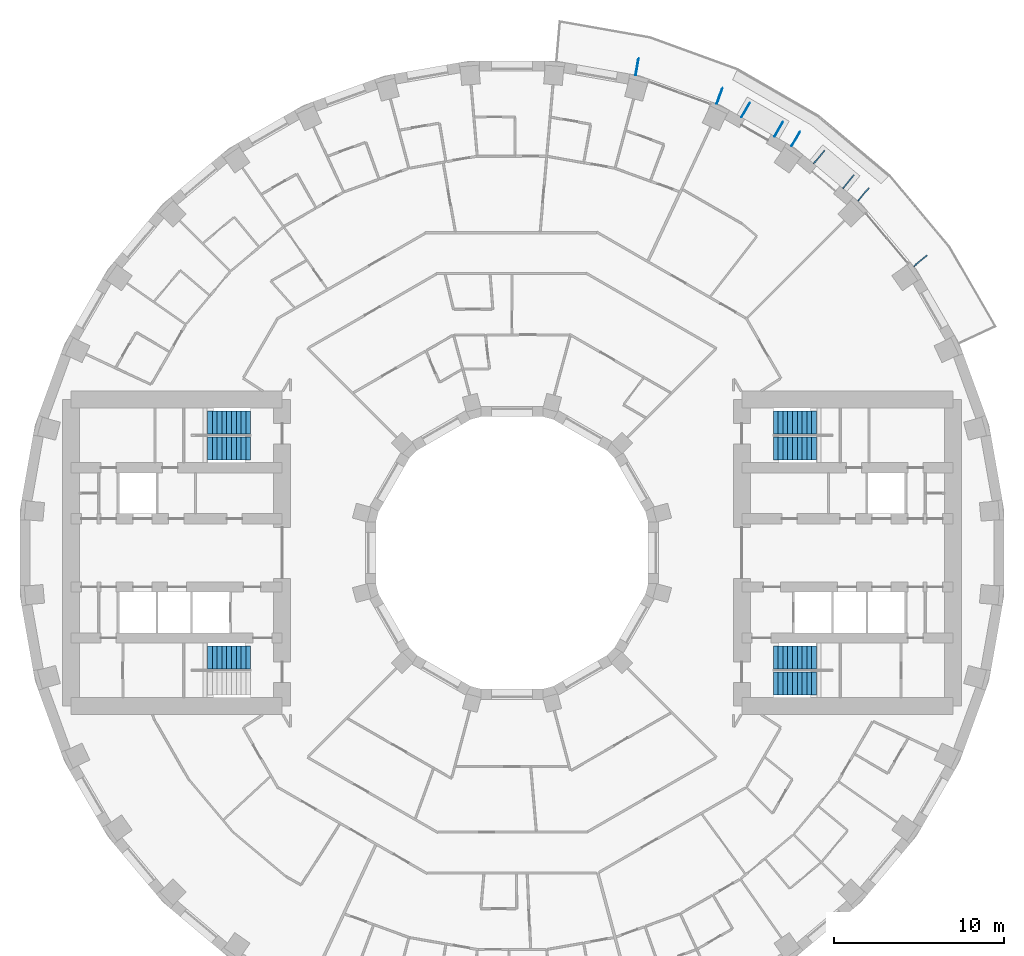
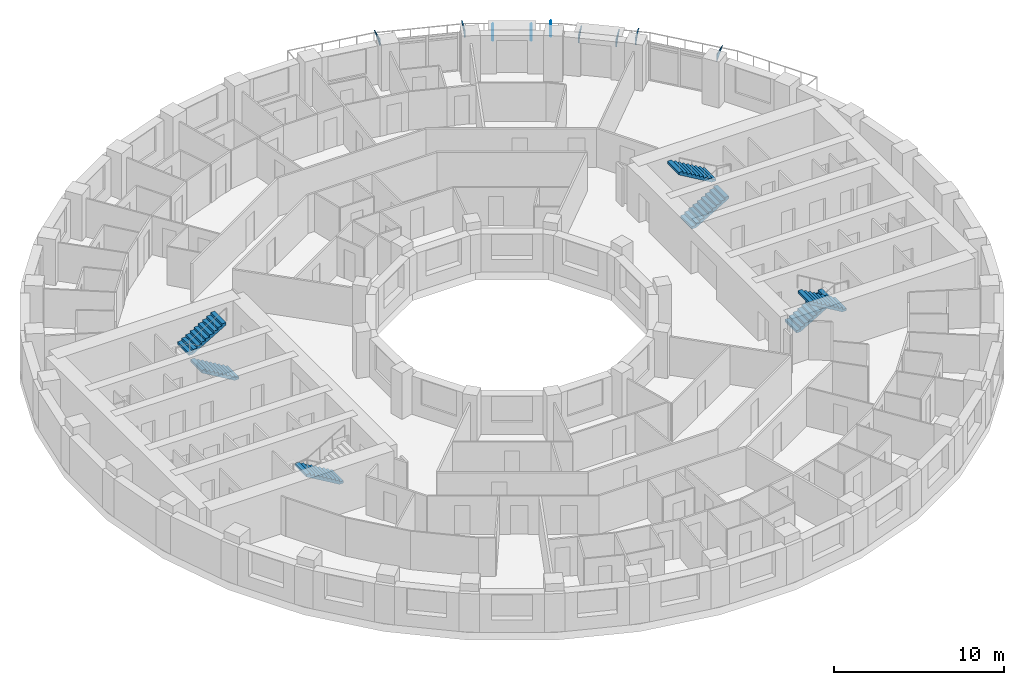
# One storey, part 14 of 15: 9 discrete accessories, 7 stair flights, 4 elements without a shape of their own.
"""IFC4 building model written with IfcOpenShell, lengths in metres."""

from ifc_helpers import new_model, si_unit, direction, frame, origin, place, context, subcontext, project, spatial, polyline, outline, extrude, material, layer, layer_set, type_object, element, aggregate, save


model = new_model("IFC4")

# Units and contexts
model_context = context("Model", 3, precision=1e-05, world=origin(), true_north=direction((0.0, 1.0)))
body_context = subcontext(model_context, "Body", "Model", "MODEL_VIEW")
ifc_project = project(units=[si_unit("LENGTHUNIT", "METRE"), si_unit("AREAUNIT", "SQUARE_METRE"), si_unit("VOLUMEUNIT", "CUBIC_METRE"), si_unit("PLANEANGLEUNIT", "RADIAN"), si_unit("MASSUNIT", "GRAM", prefix="KILO")], contexts=[model_context])

# Site, building, storey
site_placement = place(None, origin())
site = spatial("IfcSite", under=ifc_project, at=site_placement, CompositionType="ELEMENT")
building_placement = place(site_placement, origin())
building = spatial("IfcBuilding", under=site, at=building_placement, Name="Saqina Gate Tower", CompositionType="ELEMENT")
storey_placement = place(building_placement, frame((0.0, 0.0, 65.89990234375)))
storey = spatial("IfcBuildingStorey", under=building, at=storey_placement, Name="L18", CompositionType="ELEMENT", Elevation=65.89990234375)

# Stair, stair flights
ifc_material_1 = material(Name="Concrete C40/50", Category="concrete")
stair_type = type_object("IfcStairType", Name="EXIT STAIR", PredefinedType="HALF_TURN_STAIR", material=ifc_material_1)
stair_1_placement = place(storey_placement, origin())
stair_1 = element("IfcStair", 1, at=stair_1_placement, inside=storey, type_object=stair_type, Name="EXIT STAIR 1", PredefinedType="HALF_TURN_STAIR")
ifc_material_2 = material(Name="Concrete C40/50", Category="concrete")
stair_flight_type = type_object("IfcStairFlightType", Name="EXIT STAIR FLIGHT", PredefinedType="STRAIGHT", material=ifc_material_2)
stair_flight_1_placement = place(storey_placement, frame((15.35009765625, 6.1416015625, 0.0), z_axis=(0.0, 0.0, 1.0), x_axis=(1.0, 0.0, 0.0)))
stair_flight_1 = element("IfcStairFlight", 2, at=stair_flight_1_placement, type_object=stair_flight_type, Name="EXIT STAIR 1 FLIGHT 1", NumberOfRisers=10, NumberOfTreads=9, PredefinedType="STRAIGHT", RiserHeight=0.165, TreadLength=0.28, context=body_context, shape_type="SweptSolid", body=[
    extrude(outline(polyline([(0.0, 0.0), (0.0, 0.1650390625), (0.280029296875, 0.1650390625), (0.280029296875, 0.330078125), (0.56005859375, 0.330078125), (0.56005859375, 0.4951171875), (0.840087890625, 0.4951171875), (0.840087890625, 0.659912109375), (1.1201171875, 0.659912109375), (1.1201171875, 0.824951171875), (1.39990234375, 0.824951171875), (1.39990234375, 0.989990234375), (1.679931640625, 0.989990234375), (1.679931640625, 1.155029296875), (1.9599609375, 1.155029296875), (1.9599609375, 1.320068359375), (2.239990234375, 1.320068359375), (2.239990234375, 1.485107421875), (2.52001953125, 1.485107421875), (2.52001953125, 1.64990234375), (2.52001953125, 1.31103515625), (0.295166015625, 0.0), (0.0, 0.0)])), frame((0.0, 0.675048828125, 0.0), z_axis=(0.0, -1.0, 0.0), x_axis=(1.0, 0.0, 0.0)), (0.0, 0.0, 1.0), 1.35009765625),
])
stair_flight_2_placement = place(storey_placement, frame((17.8701171875, 7.658447265625, 1.650146484375), z_axis=(0.0, 0.0, 1.0), x_axis=(-1.0, 0.0, 0.0)))
stair_flight_2 = element("IfcStairFlight", 3, at=stair_flight_2_placement, type_object=stair_flight_type, Name="EXIT STAIR 1 FLIGHT 2", NumberOfRisers=10, NumberOfTreads=9, PredefinedType="STRAIGHT", RiserHeight=0.165, TreadLength=0.28, context=body_context, shape_type="SweptSolid", body=[
    extrude(outline(polyline([(0.0, 0.0), (0.0, 0.1650390625), (0.280029296875, 0.1650390625), (0.280029296875, 0.330078125), (0.56005859375, 0.330078125), (0.56005859375, 0.4951171875), (0.840087890625, 0.4951171875), (0.840087890625, 0.659912109375), (1.1201171875, 0.659912109375), (1.1201171875, 0.824951171875), (1.39990234375, 0.824951171875), (1.39990234375, 0.989990234375), (1.679931640625, 0.989990234375), (1.679931640625, 1.155029296875), (1.9599609375, 1.155029296875), (1.9599609375, 1.320068359375), (2.239990234375, 1.320068359375), (2.239990234375, 1.485107421875), (2.52001953125, 1.485107421875), (2.52001953125, 1.64990234375), (2.52001953125, 1.31103515625), (0.295166015625, 0.0), (0.0, 0.0)])), frame((0.0, 0.675048828125, 0.0), z_axis=(0.0, -1.0, 0.0), x_axis=(1.0, 0.0, 0.0)), (0.0, 0.0, 1.0), 1.35009765625),
])
aggregate(stair_1, [stair_flight_1, stair_flight_2])

stair_2_placement = place(storey_placement, origin())
stair_2 = element("IfcStair", 4, at=stair_2_placement, inside=storey, type_object=stair_type, Name="EXIT STAIR 2", PredefinedType="HALF_TURN_STAIR")
stair_flight_3_placement = place(storey_placement, frame((15.35009765625, -6.1416015625, 0.0), z_axis=(0.0, 0.0, 1.0), x_axis=(1.0, 0.0, 0.0)))
stair_flight_3 = element("IfcStairFlight", 5, at=stair_flight_3_placement, type_object=stair_flight_type, Name="EXIT STAIR 2 FLIGHT 1", NumberOfRisers=10, NumberOfTreads=9, PredefinedType="STRAIGHT", RiserHeight=0.165, TreadLength=0.28, context=body_context, shape_type="SweptSolid", body=[
    extrude(outline(polyline([(0.0, 0.0), (0.0, 0.1650390625), (0.280029296875, 0.1650390625), (0.280029296875, 0.330078125), (0.56005859375, 0.330078125), (0.56005859375, 0.4951171875), (0.840087890625, 0.4951171875), (0.840087890625, 0.659912109375), (1.1201171875, 0.659912109375), (1.1201171875, 0.824951171875), (1.39990234375, 0.824951171875), (1.39990234375, 0.989990234375), (1.679931640625, 0.989990234375), (1.679931640625, 1.155029296875), (1.9599609375, 1.155029296875), (1.9599609375, 1.320068359375), (2.239990234375, 1.320068359375), (2.239990234375, 1.485107421875), (2.52001953125, 1.485107421875), (2.52001953125, 1.64990234375), (2.52001953125, 1.31103515625), (0.295166015625, 0.0), (0.0, 0.0)])), frame((0.0, 0.675048828125, 0.0), z_axis=(0.0, -1.0, 0.0), x_axis=(1.0, 0.0, 0.0)), (0.0, 0.0, 1.0), 1.35009765625),
])
stair_flight_4_placement = place(storey_placement, frame((17.8701171875, -7.658447265625, 1.650146484375), z_axis=(0.0, 0.0, 1.0), x_axis=(-1.0, 0.0, 0.0)))
stair_flight_4 = element("IfcStairFlight", 6, at=stair_flight_4_placement, type_object=stair_flight_type, Name="EXIT STAIR 2 FLIGHT 2", NumberOfRisers=10, NumberOfTreads=9, PredefinedType="STRAIGHT", RiserHeight=0.165, TreadLength=0.28, context=body_context, shape_type="SweptSolid", body=[
    extrude(outline(polyline([(0.0, 0.0), (0.0, 0.1650390625), (0.280029296875, 0.1650390625), (0.280029296875, 0.330078125), (0.56005859375, 0.330078125), (0.56005859375, 0.4951171875), (0.840087890625, 0.4951171875), (0.840087890625, 0.659912109375), (1.1201171875, 0.659912109375), (1.1201171875, 0.824951171875), (1.39990234375, 0.824951171875), (1.39990234375, 0.989990234375), (1.679931640625, 0.989990234375), (1.679931640625, 1.155029296875), (1.9599609375, 1.155029296875), (1.9599609375, 1.320068359375), (2.239990234375, 1.320068359375), (2.239990234375, 1.485107421875), (2.52001953125, 1.485107421875), (2.52001953125, 1.64990234375), (2.52001953125, 1.31103515625), (0.295166015625, 0.0), (0.0, 0.0)])), frame((0.0, 0.675048828125, 0.0), z_axis=(0.0, -1.0, 0.0), x_axis=(1.0, 0.0, 0.0)), (0.0, 0.0, 1.0), 1.35009765625),
])
aggregate(stair_2, [stair_flight_3, stair_flight_4])

stair_3_placement = place(storey_placement, origin())
stair_3 = element("IfcStair", 7, at=stair_3_placement, inside=storey, type_object=stair_type, Name="EXIT STAIR 3", PredefinedType="HALF_TURN_STAIR")
stair_flight_5_placement = place(storey_placement, frame((-15.35009765625, 6.1416015625, 0.0), z_axis=(0.0, 0.0, 1.0), x_axis=(-1.0, 0.0, 0.0)))
stair_flight_5 = element("IfcStairFlight", 8, at=stair_flight_5_placement, type_object=stair_flight_type, Name="EXIT STAIR 3 FLIGHT 1", NumberOfRisers=10, NumberOfTreads=9, PredefinedType="STRAIGHT", RiserHeight=0.165, TreadLength=0.28, context=body_context, shape_type="SweptSolid", body=[
    extrude(outline(polyline([(0.0, 0.0), (0.0, 0.1650390625), (0.280029296875, 0.1650390625), (0.280029296875, 0.330078125), (0.56005859375, 0.330078125), (0.56005859375, 0.4951171875), (0.840087890625, 0.4951171875), (0.840087890625, 0.659912109375), (1.1201171875, 0.659912109375), (1.1201171875, 0.824951171875), (1.39990234375, 0.824951171875), (1.39990234375, 0.989990234375), (1.679931640625, 0.989990234375), (1.679931640625, 1.155029296875), (1.9599609375, 1.155029296875), (1.9599609375, 1.320068359375), (2.239990234375, 1.320068359375), (2.239990234375, 1.485107421875), (2.52001953125, 1.485107421875), (2.52001953125, 1.64990234375), (2.52001953125, 1.31103515625), (0.295166015625, 0.0), (0.0, 0.0)])), frame((0.0, 0.675048828125, 0.0), z_axis=(0.0, -1.0, 0.0), x_axis=(1.0, 0.0, 0.0)), (0.0, 0.0, 1.0), 1.35009765625),
])
stair_flight_6_placement = place(storey_placement, frame((-17.8701171875, 7.658447265625, 1.650146484375), z_axis=(0.0, 0.0, 1.0), x_axis=(1.0, 0.0, 0.0)))
stair_flight_6 = element("IfcStairFlight", 9, at=stair_flight_6_placement, type_object=stair_flight_type, Name="EXIT STAIR 3 FLIGHT 2", NumberOfRisers=10, NumberOfTreads=9, PredefinedType="STRAIGHT", RiserHeight=0.165, TreadLength=0.28, context=body_context, shape_type="SweptSolid", body=[
    extrude(outline(polyline([(0.0, 0.0), (0.0, 0.1650390625), (0.280029296875, 0.1650390625), (0.280029296875, 0.330078125), (0.56005859375, 0.330078125), (0.56005859375, 0.4951171875), (0.840087890625, 0.4951171875), (0.840087890625, 0.659912109375), (1.1201171875, 0.659912109375), (1.1201171875, 0.824951171875), (1.39990234375, 0.824951171875), (1.39990234375, 0.989990234375), (1.679931640625, 0.989990234375), (1.679931640625, 1.155029296875), (1.9599609375, 1.155029296875), (1.9599609375, 1.320068359375), (2.239990234375, 1.320068359375), (2.239990234375, 1.485107421875), (2.52001953125, 1.485107421875), (2.52001953125, 1.64990234375), (2.52001953125, 1.31103515625), (0.295166015625, 0.0), (0.0, 0.0)])), frame((0.0, 0.675048828125, 0.0), z_axis=(0.0, -1.0, 0.0), x_axis=(1.0, 0.0, 0.0)), (0.0, 0.0, 1.0), 1.35009765625),
])
aggregate(stair_3, [stair_flight_5, stair_flight_6])

# Stair, stair flight
stair_4_placement = place(storey_placement, origin())
stair_4 = element("IfcStair", 10, at=stair_4_placement, inside=storey, type_object=stair_type, Name="EXIT STAIR 4", PredefinedType="HALF_TURN_STAIR")
stair_flight_7_placement = place(storey_placement, frame((-15.35009765625, -6.1416015625, 0.0), z_axis=(0.0, 0.0, 1.0), x_axis=(-1.0, 0.0, 0.0)))
stair_flight_7 = element("IfcStairFlight", 11, at=stair_flight_7_placement, type_object=stair_flight_type, Name="EXIT STAIR 4 FLIGHT 1", NumberOfRisers=10, NumberOfTreads=9, PredefinedType="STRAIGHT", RiserHeight=0.165, TreadLength=0.28, context=body_context, shape_type="SweptSolid", body=[
    extrude(outline(polyline([(0.0, 0.0), (0.0, 0.1650390625), (0.280029296875, 0.1650390625), (0.280029296875, 0.330078125), (0.56005859375, 0.330078125), (0.56005859375, 0.4951171875), (0.840087890625, 0.4951171875), (0.840087890625, 0.659912109375), (1.1201171875, 0.659912109375), (1.1201171875, 0.824951171875), (1.39990234375, 0.824951171875), (1.39990234375, 0.989990234375), (1.679931640625, 0.989990234375), (1.679931640625, 1.155029296875), (1.9599609375, 1.155029296875), (1.9599609375, 1.320068359375), (2.239990234375, 1.320068359375), (2.239990234375, 1.485107421875), (2.52001953125, 1.485107421875), (2.52001953125, 1.64990234375), (2.52001953125, 1.31103515625), (0.295166015625, 0.0), (0.0, 0.0)])), frame((0.0, 0.675048828125, 0.0), z_axis=(0.0, -1.0, 0.0), x_axis=(1.0, 0.0, 0.0)), (0.0, 0.0, 1.0), 1.35009765625),
])
aggregate(stair_4, [stair_flight_7])

# Discrete accessories
ifc_material_3 = material(Name="Galvanised steel", Category="steel")
ifc_layer_1 = layer(ifc_material_3, 0.050048828125)
ifc_layer_set_1 = layer_set([ifc_layer_1], Name="BR-AWNING")
discrete_accessory_type_1 = type_object("IfcDiscreteAccessoryType", Name="BR-AWNING", PredefinedType="BRACKET", material=ifc_layer_set_1)
for number, where, z_axis, x_axis, name in (
    (12, (19.410888671875, 21.425048828125, 1.97509765625), (-0.766055819685, 0.64277405138, 0.0), (0.0, 0.0, 1.0), "Awning bracket L18 facet 5"),
    (13, (17.6904296875, 22.86865234375, 1.97509765625), (-0.766055819685, 0.64277405138, 0.0), (0.0, 0.0, 1.0), "Awning bracket L18 facet 5"),
):
    element("IfcDiscreteAccessory", number, at=place(storey_placement, frame(where, z_axis=z_axis, x_axis=x_axis)), inside=storey, type_object=discrete_accessory_type_1, Name=name, PredefinedType="BRACKET", context=body_context, shape_type="SweptSolid", body=[
        extrude(outline(polyline([(0.0, 0.0), (0.550048828125, 0.0), (0.550048828125, 1.0000750096322273), (0.0, 0.0)])), origin(), (0.0, 0.0, -1.0), 0.050048828125),
    ])
discrete_accessory_1_placement = place(storey_placement, frame((15.395751953125, 24.47021484375, 1.97509765625), z_axis=(-0.866010750942, 0.50002537861, 0.0), x_axis=(0.0, 0.0, 1.0)))
element("IfcDiscreteAccessory", 14, at=discrete_accessory_1_placement, inside=storey, type_object=discrete_accessory_type_1, Name="Awning bracket L18 facet 6", PredefinedType="BRACKET", context=body_context, shape_type="SweptSolid", body=[
    extrude(outline(polyline([(0.0, 0.0), (0.550048828125, 0.0), (0.550048828125, 0.9999492453569568), (0.0, 0.0)])), origin(), (0.0, 0.0, -1.0), 0.050048828125),
])
discrete_accessory_2_placement = place(storey_placement, frame((13.45068359375, 25.593017578125, 1.97509765625), z_axis=(-0.866071776036, 0.499919672301, 0.0), x_axis=(0.0, 0.0, 1.0)))
element("IfcDiscreteAccessory", 15, at=discrete_accessory_2_placement, inside=storey, type_object=discrete_accessory_type_1, Name="Awning bracket L18 facet 6", PredefinedType="BRACKET", context=body_context, shape_type="SweptSolid", body=[
    extrude(outline(polyline([(0.0, 0.0), (0.550048828125, 0.0), (0.550048828125, 1.0001606812130883), (0.0, 0.0)])), origin(), (0.0, 0.0, -1.0), 0.050048828125),
])
ifc_material_4 = material(Name="Galvanised steel", Category="steel")
ifc_layer_2 = layer(ifc_material_4, 0.050048828125)
ifc_layer_set_2 = layer_set([ifc_layer_2], Name="BR-GUSSET")
discrete_accessory_type_2 = type_object("IfcDiscreteAccessoryType", Name="BR-GUSSET", PredefinedType="BRACKET", material=ifc_layer_set_2)
for number, where, z_axis, x_axis, name in (
    (16, (23.57861328125, 16.844482421875, 2.25), (-0.64277405138, 0.766055819685, 0.0), (0.0, 0.0, 1.0), "Terrace slab bracket L19 1"),
    (17, (20.29541015625, 20.682861328125, 2.25), (-0.766055819685, 0.64277405138, 0.0), (0.0, 0.0, 1.0), "Terrace slab bracket L19 2"),
):
    element("IfcDiscreteAccessory", number, at=place(storey_placement, frame(where, z_axis=z_axis, x_axis=x_axis)), inside=storey, type_object=discrete_accessory_type_2, Name=name, PredefinedType="BRACKET", context=body_context, shape_type="SweptSolid", body=[
        extrude(outline(polyline([(0.0, 0.0), (0.5, 0.0), (0.5, 1.0000750096322275), (0.0, 0.0)])), origin(), (0.0, 0.0, -1.0), 0.050048828125),
    ])
discrete_accessory_3_placement = place(storey_placement, frame((16.3955078125, 23.892822265625, 2.25), z_axis=(-0.866010750942, 0.50002537861, 0.0), x_axis=(0.0, 0.0, 1.0)))
element("IfcDiscreteAccessory", 18, at=discrete_accessory_3_placement, inside=storey, type_object=discrete_accessory_type_2, Name="Terrace slab bracket L19 3", PredefinedType="BRACKET", context=body_context, shape_type="SweptSolid", body=[
    extrude(outline(polyline([(0.0, 0.0), (0.5, 0.0), (0.5, 0.9999492453569568), (0.0, 0.0)])), origin(), (0.0, 0.0, -1.0), 0.050048828125),
])
discrete_accessory_4_placement = place(storey_placement, frame((11.99755859375, 26.376953125, 2.25), z_axis=(-0.939686455819, 0.342037080957, 0.0), x_axis=(0.0, 0.0, 1.0)))
element("IfcDiscreteAccessory", 19, at=discrete_accessory_4_placement, inside=storey, type_object=discrete_accessory_type_2, Name="Terrace slab bracket L19 4", PredefinedType="BRACKET", context=body_context, shape_type="SweptSolid", body=[
    extrude(outline(polyline([(0.0, 0.0), (0.5, 0.0), (0.5, 1.000011503630275), (0.0, 0.0)])), origin(), (0.0, 0.0, -1.0), 0.050048828125),
])
discrete_accessory_5_placement = place(storey_placement, frame((7.23486328125, 28.0595703125, 2.25), z_axis=(-0.984778643263, 0.173813186416, 0.0), x_axis=(0.0, 0.0, 1.0)))
element("IfcDiscreteAccessory", 20, at=discrete_accessory_5_placement, inside=storey, type_object=discrete_accessory_type_2, Name="Terrace slab bracket L19 5", PredefinedType="BRACKET", context=body_context, shape_type="SweptSolid", body=[
    extrude(outline(polyline([(0.0, 0.0), (0.5, 0.0), (0.5, 1.000085946204391), (0.0, 0.0)])), origin(), (0.0, 0.0, -1.0), 0.050048828125),
])

save(model, "model.ifc")
